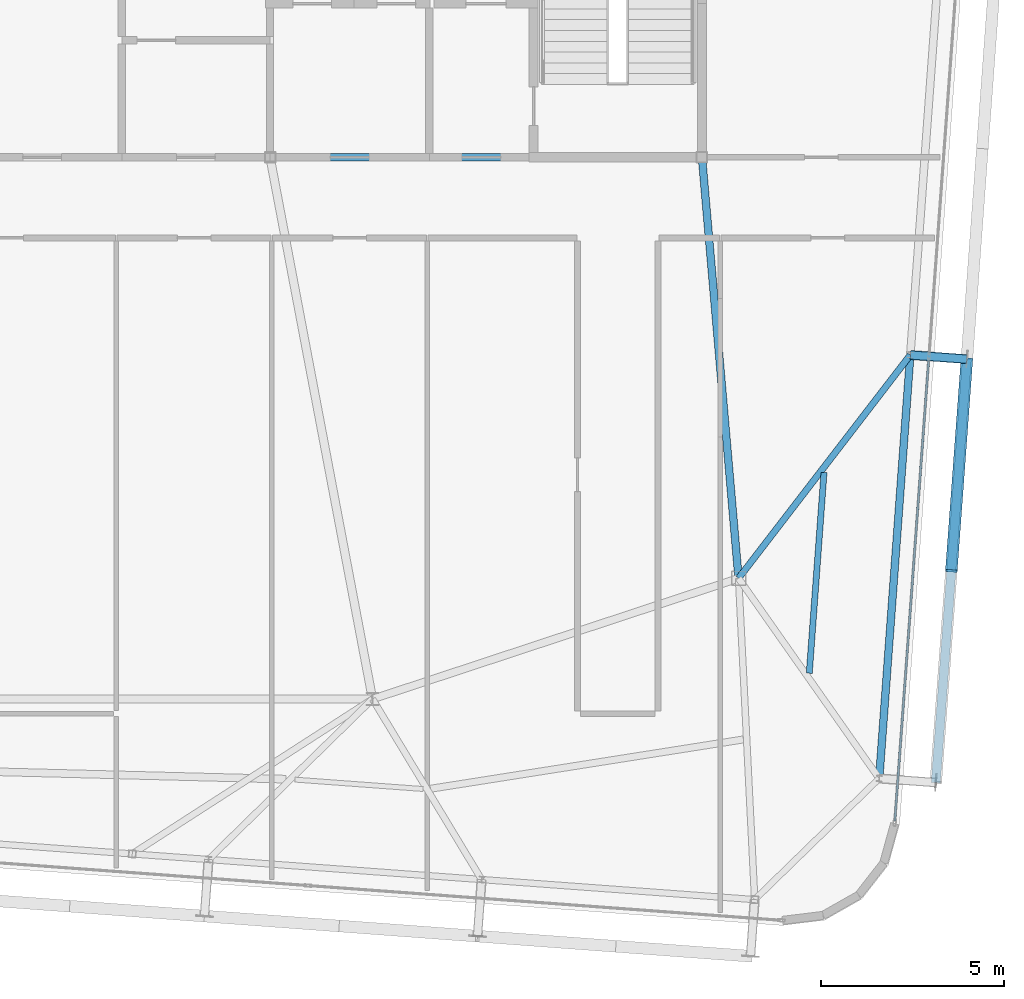
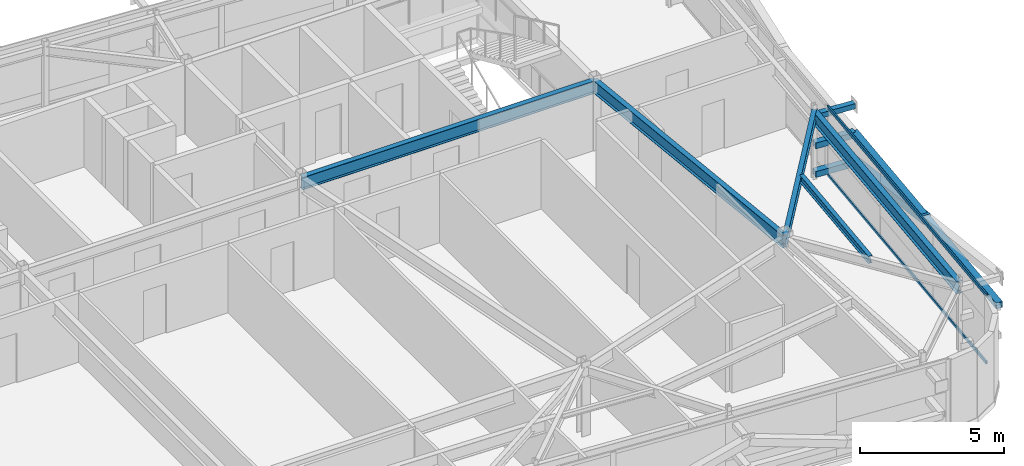
# One storey, part 16 of 34: 7 members, 5 beams, 1 element without a shape of its own.
"""IFC4 building model written with IfcOpenShell, lengths in metres."""

import ifcopenshell
import ifcopenshell.guid

model = None  # the IFC model being written
_history = None  # IfcOwnerHistory: only IFC2X3 demands one
_inside = {}  # id of a spatial element -> (the spatial element, [elements in it])
_under = {}  # id of a project, library or spatial element -> (it, [spatial elements below it])
_declared = {}  # id of a project -> (the project, [libraries it declares])
_typed = {}  # id of a type object -> (the type object, [elements of that type])
_made_of = {}  # id of a material, layer set ... -> (it, [elements and type objects made of it])


def new_model(schema):
    """Start an empty IFC model of exactly this schema.

    Asked for "IFC4X3", IfcOpenShell would pick the latest addendum, in which some entities
    have other attributes; the version numbers below select the first issue.
    IFC2X3 requires an IfcOwnerHistory on every rooted entity: one is made here for all.
    """
    global model, _history
    if schema == "IFC4X3":
        model = ifcopenshell.file(schema_version=(4, 3, 0, 0))
    else:
        model = ifcopenshell.file(schema=schema)
    _inside.clear()
    _under.clear()
    _declared.clear()
    _typed.clear()
    _made_of.clear()
    _history = None
    if model.schema == "IFC2X3":
        org = make("IfcOrganization", Name="unknown")
        user = make(
            "IfcPersonAndOrganization",
            ThePerson=make("IfcPerson", FamilyName="unknown"),
            TheOrganization=org,
        )
        app = make(
            "IfcApplication",
            ApplicationDeveloper=org,
            Version="unknown",
            ApplicationFullName="unknown",
            ApplicationIdentifier="unknown",
        )
        _history = make(
            "IfcOwnerHistory",
            OwningUser=user,
            OwningApplication=app,
            ChangeAction="ADDED",
            CreationDate=0,
        )
    return model


def make(cls, **values):
    """One entity of the class cls with the attributes given. An attribute that is None is left unset."""
    return model.create_entity(
        cls, **{name: value for name, value in values.items() if value is not None}
    )


def rooted(cls, **values):
    """An entity with a GlobalId (a new one), such as an element, a storey or a relation."""
    return make(cls, GlobalId=ifcopenshell.guid.new(), OwnerHistory=_history, **values)


def si_unit(unit_type, name, prefix=None):
    """IfcSIUnit, for example si_unit("LENGTHUNIT", "METRE", prefix="MILLI")."""
    return make("IfcSIUnit", UnitType=unit_type, Prefix=prefix, Name=name)


def assignment(units):
    """IfcUnitAssignment: the units of a project."""
    return None if units is None else make("IfcUnitAssignment", Units=units)


def point(xyz):
    """IfcCartesianPoint."""
    return None if xyz is None else make("IfcCartesianPoint", Coordinates=xyz)


def direction(xyz):
    """IfcDirection."""
    return None if xyz is None else make("IfcDirection", DirectionRatios=xyz)


def frame(location, z_axis=None, x_axis=None):
    """IfcAxis2Placement3D, a coordinate frame: its origin and axes. An axis left out is left unset."""
    return make(
        "IfcAxis2Placement3D",
        Location=point(location),
        Axis=direction(z_axis),
        RefDirection=direction(x_axis),
    )


def frame_2d(location, x_axis=None):
    """IfcAxis2Placement2D, a coordinate frame in the plane: its origin and x axis."""
    return make(
        "IfcAxis2Placement2D", Location=point(location), RefDirection=direction(x_axis)
    )


def origin():
    """The frame at (0, 0, 0) with its axes left unset."""
    return frame((0.0, 0.0, 0.0))


def origin_2d():
    """The frame at (0, 0) in the plane with its x axis left unset."""
    return frame_2d((0.0, 0.0))


def place(relative_to, where):
    """IfcLocalPlacement: puts the frame where relative to a parent placement (None: the world)."""
    return make(
        "IfcLocalPlacement", PlacementRelTo=relative_to, RelativePlacement=where
    )


def context(
    kind, dimensions, precision=None, world=None, true_north=None, identifier=None
):
    """IfcGeometricRepresentationContext, for example the 3D "Model" context."""
    return make(
        "IfcGeometricRepresentationContext",
        ContextIdentifier=identifier,
        ContextType=kind,
        CoordinateSpaceDimension=dimensions,
        Precision=precision,
        WorldCoordinateSystem=world,
        TrueNorth=true_north,
    )


def subcontext(parent, identifier, kind, view, scale=None):
    """IfcGeometricRepresentationSubContext, for example "Body" below "Model"."""
    return make(
        "IfcGeometricRepresentationSubContext",
        ContextIdentifier=identifier,
        ContextType=kind,
        ParentContext=parent,
        TargetScale=scale,
        TargetView=view,
    )


def project(units=None, contexts=None):
    """IfcProject with its units and contexts."""
    return rooted(
        "IfcProject",
        Name="project",
        RepresentationContexts=contexts,
        UnitsInContext=assignment(units),
    )


def spatial(cls, under=None, at=None, **own):
    """A site, building, storey or space (cls), placed at a placement, below another one or the project."""
    s = rooted(cls, ObjectPlacement=at, **own)
    if under is not None:
        _under.setdefault(under.id(), (under, []))[1].append(s)
    return s


def profile(cls, at=None, kind="AREA", **sizes):
    """A parametric profile (cls). Its sizes go by their IFC names, for example OverallWidth=200.0."""
    return make(cls, ProfileType=kind, Position=at, **sizes)


def hollow_rectangle(**sizes):
    """IfcRectangleHollowProfileDef."""
    return profile("IfcRectangleHollowProfileDef", **sizes)


def i_section(**sizes):
    """IfcIShapeProfileDef."""
    return profile("IfcIShapeProfileDef", **sizes)


def extrude(swept, where, along, depth):
    """IfcExtrudedAreaSolid: the profile swept, set in the frame where, extruded along a direction by depth."""
    return make(
        "IfcExtrudedAreaSolid",
        SweptArea=swept,
        Position=where,
        ExtrudedDirection=direction(along),
        Depth=depth,
    )


def shape(context_of_items, identifier, shape_type, items):
    """IfcShapeRepresentation: the items that make up one representation, for example the "Body"."""
    return make(
        "IfcShapeRepresentation",
        ContextOfItems=context_of_items,
        RepresentationIdentifier=identifier,
        RepresentationType=shape_type,
        Items=items,
    )


def source(mapping_origin, context_of_items, identifier, shape_type, items):
    """IfcRepresentationMap: a shape defined once, which mapped items show again and again."""
    return make(
        "IfcRepresentationMap",
        MappingOrigin=mapping_origin,
        MappedRepresentation=shape(context_of_items, identifier, shape_type, items),
    )


def transform(
    local_origin,
    x_axis=None,
    y_axis=None,
    z_axis=None,
    scale=None,
    scale2=None,
    scale3=None,
    uniform=True,
):
    """IfcCartesianTransformationOperator3D, or its non-uniform kind. x_axis, y_axis, z_axis: its Axis1, 2, 3."""
    if uniform:
        return make(
            "IfcCartesianTransformationOperator3D",
            Axis1=direction(x_axis),
            Axis2=direction(y_axis),
            LocalOrigin=point(local_origin),
            Scale=scale,
            Axis3=direction(z_axis),
        )
    return make(
        "IfcCartesianTransformationOperator3DnonUniform",
        Axis1=direction(x_axis),
        Axis2=direction(y_axis),
        LocalOrigin=point(local_origin),
        Scale=scale,
        Axis3=direction(z_axis),
        Scale2=scale2,
        Scale3=scale3,
    )


def mapped(mapping_source, mapping_target):
    """IfcMappedItem: shows the shape of a source again, moved by a transform."""
    return make(
        "IfcMappedItem", MappingSource=mapping_source, MappingTarget=mapping_target
    )


def material(Name=None, Category=None):
    """IfcMaterial."""
    return make("IfcMaterial", Name=Name, Category=Category)


def layer(
    of_material, thickness, ventilated=None, Name=None, Category=None, Priority=None
):
    """IfcMaterialLayer: one layer of a wall or slab, of a material (None: an air gap)."""
    return make(
        "IfcMaterialLayer",
        Material=of_material,
        LayerThickness=thickness,
        IsVentilated=ventilated,
        Name=Name,
        Category=Category,
        Priority=Priority,
    )


def layer_set(layers, Name=None):
    """IfcMaterialLayerSet."""
    return make("IfcMaterialLayerSet", MaterialLayers=layers, LayerSetName=Name)


def material_profile(
    of_material, cross_section, Name=None, Category=None, Priority=None
):
    """IfcMaterialProfile: a cross section and its material."""
    return make(
        "IfcMaterialProfile",
        Name=Name,
        Material=of_material,
        Profile=cross_section,
        Priority=Priority,
        Category=Category,
    )


def profile_set(profiles, Name=None, composite=None):
    """IfcMaterialProfileSet."""
    return make(
        "IfcMaterialProfileSet",
        Name=Name,
        MaterialProfiles=profiles,
        CompositeProfile=composite,
    )


def made_of(thing, what):
    """Note that an element or type object is made of a material, layer set ...; save() writes the relation."""
    if what is not None:
        _made_of.setdefault(what.id(), (what, []))[1].append(thing)
    return thing


def type_object(cls, material=None, **own):
    """A type object (cls), such as IfcWallType, which elements share."""
    return made_of(rooted(cls, **own), material)


def element(
    cls,
    number,
    at=None,
    inside=None,
    cuts=None,
    type_object=None,
    material=None,
    context=None,
    identifier="Body",
    shape_type=None,
    held_by="IfcProductDefinitionShape",
    body=None,
    shapes=None,
    **own,
):
    """One element of the class cls, such as IfcWall. Its Tag is "e" and its number.

    at: its placement. inside: the storey or other place that contains it. cuts: it is an
    opening in that element (IfcRelVoidsElement). A single representation is given by context,
    identifier, shape_type and body (its items); several are given by shapes. held_by: the class
    of the entity that holds the representations. save() writes the other relations.
    """
    e = rooted(cls, Tag="e%d" % number, ObjectPlacement=at, **own)
    if body is not None:
        shapes = [shape(context, identifier, shape_type, body)]
    if shapes is not None:
        e.Representation = make(held_by, Representations=shapes)
    if inside is not None:
        _inside.setdefault(inside.id(), (inside, []))[1].append(e)
    if cuts is not None:
        rooted(
            "IfcRelVoidsElement", RelatingBuildingElement=cuts, RelatedOpeningElement=e
        )
    if type_object is not None:
        _typed.setdefault(type_object.id(), (type_object, []))[1].append(e)
    return made_of(e, material)


def aggregate(whole, parts):
    """IfcRelAggregates: a whole, such as a stair, and the parts it consists of."""
    return rooted("IfcRelAggregates", RelatingObject=whole, RelatedObjects=parts)


def save(model, path):
    """Write the relations noted so far, then the file.

    IfcRelAggregates (storeys below a building ...), IfcRelContainedInSpatialStructure (elements
    in a storey), IfcRelDefinesByType, IfcRelAssociatesMaterial and IfcRelDeclares: one each for
    every whole, place, type object, material and project.
    """
    for whole, parts in _under.values():
        aggregate(whole, parts)
    for where, things in _inside.values():
        rooted(
            "IfcRelContainedInSpatialStructure",
            RelatedElements=things,
            RelatingStructure=where,
        )
    for kind, things in _typed.values():
        rooted("IfcRelDefinesByType", RelatedObjects=things, RelatingType=kind)
    for what, things in _made_of.values():
        rooted("IfcRelAssociatesMaterial", RelatedObjects=things, RelatingMaterial=what)
    for by, libraries in _declared.values():
        rooted("IfcRelDeclares", RelatingContext=by, RelatedDefinitions=libraries)
    model.write(path)


model = new_model("IFC4")

# Units and contexts
model_context = context("Model", 3, precision=1e-05, world=origin(), true_north=direction((0.0, 1.0)))
body_context = subcontext(model_context, "Body", "Model", "MODEL_VIEW")
ifc_project = project(units=[si_unit("LENGTHUNIT", "METRE"), si_unit("AREAUNIT", "SQUARE_METRE"), si_unit("VOLUMEUNIT", "CUBIC_METRE"), si_unit("PLANEANGLEUNIT", "RADIAN"), si_unit("MASSUNIT", "GRAM", prefix="KILO")], contexts=[model_context])

# Site, building, storey
site_placement = place(None, origin())
site = spatial("IfcSite", under=ifc_project, at=site_placement, CompositionType="ELEMENT")
building_placement = place(site_placement, origin())
building = spatial("IfcBuilding", under=site, at=building_placement, Name="Taldren Reach Tower", CompositionType="ELEMENT")
storey_placement = place(building_placement, frame((0.0, 0.0, 239.75)))
storey = spatial("IfcBuildingStorey", under=building, at=storey_placement, Name="L73", CompositionType="ELEMENT", Elevation=239.75)

# Beams
ifc_material_1 = material(Name="Steel Gr 350 (350PLUS)", Category="steel")
ifc_material_profile_1 = material_profile(ifc_material_1, i_section(OverallWidth=0.208984375, OverallDepth=0.532958984375, WebThickness=0.01025390625, FlangeThickness=0.015625, at=origin_2d()), Name="530UB92.4")
ifc_profile_set_1 = profile_set([ifc_material_profile_1], Name="Steel Gr 350 (350PLUS)")
beam_type_1 = type_object("IfcBeamType", Name="BM-UB530A", PredefinedType="BEAM", material=ifc_profile_set_1)
shared_shape_1 = source(origin(), body_context, "Body", "SweptSolid", [
    extrude(i_section(OverallWidth=0.208984375, OverallDepth=0.532958984375, WebThickness=0.01025390625, FlangeThickness=0.015625, at=origin_2d()), origin(), (0.0, 0.0, 1.0), 11.800048828125),
])
beam_1_placement = place(storey_placement, frame((39.199951171875, 24.0, 2.66357421875), z_axis=(1.0, 0.0, 0.0), x_axis=(0.0, 1.0, 0.0)))
element("IfcBeam", 1, at=beam_1_placement, inside=storey, type_object=beam_type_1, Name="Core-spine girder L73-SP03", PredefinedType="BEAM", context=body_context, shape_type="MappedRepresentation", body=[
    mapped(shared_shape_1, transform((0.0, 0.0, 0.0), scale=1.0)),
])
shared_shape_2 = source(origin(), body_context, "Body", "SweptSolid", [
    extrude(i_section(OverallWidth=0.208984375, OverallDepth=0.532958984375, WebThickness=0.01025390625, FlangeThickness=0.015625, at=origin_2d()), origin(), (0.0, 0.0, 1.0), 11.54345703125),
])
beam_2_placement = place(storey_placement, frame((52.0, 12.5, 2.66357421875), z_axis=(-0.086629616365, 0.996240588196, 0.0), x_axis=(-0.996240588196, -0.086629616365, 0.0)))
element("IfcBeam", 2, at=beam_2_placement, inside=storey, type_object=beam_type_1, Name="Core-spine girder L73-SP13", PredefinedType="BEAM", context=body_context, shape_type="MappedRepresentation", body=[
    mapped(shared_shape_2, transform((0.0, 0.0, 0.0), scale=1.0)),
])
ifc_material_profile_2 = material_profile(ifc_material_1, i_section(OverallWidth=0.208984375, OverallDepth=0.528076171875, WebThickness=0.009521484375, FlangeThickness=0.01318359375, at=origin_2d()), Name="530UB82.0")
ifc_profile_set_2 = profile_set([ifc_material_profile_2], Name="Steel Gr 350 (350PLUS)")
beam_type_2 = type_object("IfcBeamType", Name="SP-UB530B", PredefinedType="SPANDREL", material=ifc_profile_set_2)
shared_shape_3 = source(origin(), body_context, "Body", "SweptSolid", [
    extrude(i_section(OverallWidth=0.208984375, OverallDepth=0.528076171875, WebThickness=0.009521484375, FlangeThickness=0.01318359375, at=origin_2d()), origin(), (0.0, 0.0, 1.0), 11.60009765625),
])
beam_3_placement = place(storey_placement, frame((55.841796875, 7.031005859375, 2.666015625), z_axis=(0.073242167855, 0.997314185625, 0.0), x_axis=(-0.997314185625, 0.073242167855, 0.0)))
element("IfcBeam", 3, at=beam_3_placement, inside=storey, type_object=beam_type_2, Name="Perimeter spandrel B5 E1-E2 L73", PredefinedType="SPANDREL", context=body_context, shape_type="MappedRepresentation", body=[
    mapped(shared_shape_3, transform((0.0, 0.0, 0.0), scale=1.0)),
])
ifc_material_profile_3 = material_profile(ifc_material_1, i_section(OverallWidth=0.177978515625, OverallDepth=0.406005859375, WebThickness=0.0078125, FlangeThickness=0.0126953125, at=origin_2d()), Name="410UB59.7")
ifc_profile_set_3 = profile_set([ifc_material_profile_3], Name="Steel Gr 350 (350PLUS)")
beam_type_3 = type_object("IfcBeamType", Name="BM-UB410", PredefinedType="BEAM", material=ifc_profile_set_3)
shared_shape_4 = source(origin(), body_context, "Body", "SweptSolid", [
    extrude(i_section(OverallWidth=0.177978515625, OverallDepth=0.406005859375, WebThickness=0.0078125, FlangeThickness=0.0126953125, at=origin_2d()), origin(), (0.0, 0.0, 1.0), 7.6953125),
])
beam_4_placement = place(storey_placement, frame((52.0, 12.5, 2.72705078125), z_axis=(0.609646363361, 0.792673521471, 0.0), x_axis=(-0.792673521471, 0.609646363361, 0.0)))
element("IfcBeam", 4, at=beam_4_placement, inside=storey, type_object=beam_type_3, Name="Primary floor girder B5-E2 L73", PredefinedType="BEAM", context=body_context, shape_type="MappedRepresentation", body=[
    mapped(shared_shape_4, transform((0.0, 0.0, 0.0), scale=1.0)),
])
ifc_material_2 = material(Name="Steel Gr 300 (300PLUS, 300 MPa)", Category="steel")
ifc_material_profile_4 = material_profile(ifc_material_2, i_section(OverallWidth=0.166015625, OverallDepth=0.306884765625, WebThickness=0.006591796875, FlangeThickness=0.01171875, at=origin_2d()), Name="310UB46.2")
ifc_profile_set_4 = profile_set([ifc_material_profile_4], Name="Steel Gr 300 (300PLUS, 300 MPa)")
beam_type_4 = type_object("IfcBeamType", Name="JS-UB310", PredefinedType="JOIST", material=ifc_profile_set_4)
shared_shape_5 = source(origin(), body_context, "Body", "SweptSolid", [
    extrude(i_section(OverallWidth=0.166015625, OverallDepth=0.306884765625, WebThickness=0.006591796875, FlangeThickness=0.01171875, at=origin_2d()), origin(), (0.0, 0.0, 1.0), 5.49755859375),
])
beam_5_placement = place(storey_placement, frame((53.93115234375, 9.905517578125, 2.776611328125), z_axis=(0.073228814191, 0.99731516622, 0.0), x_axis=(-0.99731516622, 0.073228814191, 0.0)))
element("IfcBeam", 5, at=beam_5_placement, inside=storey, type_object=beam_type_4, Name="Secondary floor joist B5 J7 L73", PredefinedType="JOIST", context=body_context, shape_type="MappedRepresentation", body=[
    mapped(shared_shape_5, transform((0.0, 0.0, 0.0), scale=1.0)),
])

# Members
ifc_material_3 = material(Name="Steel Gr 450 (C450L0)", Category="steel")
ifc_material_profile_5 = material_profile(ifc_material_3, hollow_rectangle(XDim=0.219970703125, YDim=0.219970703125, WallThickness=0.00830078125, at=origin_2d()), Name="220x220x8.2SHS")
ifc_profile_set_5 = profile_set([ifc_material_profile_5], Name="Steel Gr 450 (C450L0)")
member_type_1 = type_object("IfcMemberType", Name="MB-TIE219", PredefinedType="STRUT", material=ifc_profile_set_5)
shared_shape_6 = source(origin(), body_context, "Body", "SweptSolid", [
    extrude(hollow_rectangle(XDim=0.219970703125, YDim=0.219970703125, WallThickness=0.00830078125, at=origin_2d()), origin(), (0.0, 0.0, 1.0), 1.5458984375),
])
member_1_placement = place(storey_placement, frame((56.6953125, 18.599365234375, 2.64990234375), z_axis=(0.99732305975, -0.073121231459, 0.0), x_axis=(0.073121231459, 0.99732305975, 0.0)))
element("IfcMember", 6, at=member_1_placement, inside=storey, type_object=member_type_1, Name="Exoskeleton diaphragm tie strut B5-E2 L73", PredefinedType="STRUT", context=body_context, shape_type="MappedRepresentation", body=[
    mapped(shared_shape_6, transform((0.0, 0.0, 0.0), scale=1.0)),
])
ifc_material_profile_6 = material_profile(ifc_material_3, hollow_rectangle(XDim=0.324951171875, YDim=0.324951171875, WallThickness=0.0126953125, at=origin_2d()), Name="325x325x12.7SHS")
ifc_profile_set_6 = profile_set([ifc_material_profile_6], Name="Steel Gr 450 (C450L0)")
member_type_2 = type_object("IfcMemberType", Name="MB-BR324", PredefinedType="BRACE", material=ifc_profile_set_6)
shared_shape_7 = source(origin(), body_context, "Body", "SweptSolid", [
    extrude(hollow_rectangle(XDim=0.324951171875, YDim=0.324951171875, WallThickness=0.0126953125, at=origin_2d()), origin(), (0.0, 0.0, 1.0), 5.926025390625),
])
member_2_placement = place(storey_placement, frame((58.237060546875, 18.486328125, 0.219970703125), z_axis=(-0.071685935393, -0.976123486939, 0.205046494513), x_axis=(0.997314185625, -0.073242167855, 0.0)))
element("IfcMember", 7, at=member_2_placement, inside=storey, type_object=member_type_2, Name="Exoskeleton Diagrid Brace B5-E1 L73", PredefinedType="BRACE", context=body_context, shape_type="MappedRepresentation", body=[
    mapped(shared_shape_7, transform((0.0, 0.0, 0.0), scale=1.0)),
])
ifc_material_4 = material(Name="Steel Gr 350 (C350L0)", Category="steel")
ifc_material_profile_7 = material_profile(ifc_material_4, hollow_rectangle(XDim=0.25, YDim=0.25, WallThickness=0.010009765625, at=origin_2d()), Name="250x250x10.0SHS")
ifc_profile_set_7 = profile_set([ifc_material_profile_7], Name="Steel Gr 350 (C350L0)")
member_type_3 = type_object("IfcMemberType", Name="MB-POST250", PredefinedType="POST", material=ifc_profile_set_7)
shared_shape_8 = source(origin(), body_context, "Body", "SweptSolid", [
    extrude(hollow_rectangle(XDim=0.25, YDim=0.25, WallThickness=0.010009765625, at=origin_2d()), origin(), (0.0, 0.0, 1.0), 11.60009765625),
])
member_3_placement = place(storey_placement, frame((57.3876953125, 6.91748046875, 1.43505859375), z_axis=(0.073221234109, 0.997315722766, 0.0), x_axis=(-0.997315722766, 0.073221234109, 0.0)))
element("IfcMember", 8, at=member_3_placement, inside=storey, type_object=member_type_3, Name="Exoskeleton mid-height ring chord B5-E1 L73", PredefinedType="POST", context=body_context, shape_type="MappedRepresentation", body=[
    mapped(shared_shape_8, transform((0.0, 0.0, 0.0), scale=1.0)),
])
shared_shape_9 = source(origin(), body_context, "Body", "SweptSolid", [
    extrude(hollow_rectangle(XDim=0.25, YDim=0.25, WallThickness=0.010009765625, at=origin_2d()), origin(), (0.0, 0.0, 1.0), 1.5458984375),
])
for number, where, z_axis, x_axis, name in (
    (9, (56.6953125, 18.599365234375, 0.219970703125), (0.99732305975, -0.073121231459, 0.0), (0.073121231459, 0.99732305975, 0.0), "Exoskeleton base diaphragm tie strut B5-E2 L73"),
    (10, (56.6953125, 18.599365234375, 1.43505859375), (0.99732305975, -0.073121231459, 0.0), (0.073121231459, 0.99732305975, 0.0), "Exoskeleton mid-tier diaphragm tie B5-E2 L73"),
):
    element("IfcMember", number, at=place(storey_placement, frame(where, z_axis=z_axis, x_axis=x_axis)), inside=storey, type_object=member_type_3, Name=name, PredefinedType="POST", context=body_context, shape_type="MappedRepresentation", body=[
        mapped(shared_shape_9, transform((0.0, 0.0, 0.0), scale=1.0)),
    ])

# Curtain wall, members
ifc_material_5 = material(Name="Aluminium and Low-E Glass Unitised System", Category="aluminium")
ifc_layer = layer(ifc_material_5, 0.159912109375)
ifc_layer_set = layer_set([ifc_layer], Name="Aluminium and Low-E Glass Unitised System")
curtain_wall_type = type_object("IfcCurtainWallType", Name="CW-SYS-6", PredefinedType="NOTDEFINED", material=ifc_layer_set)
curtain_wall_placement = place(storey_placement, origin())
curtain_wall = element("IfcCurtainWall", 11, at=curtain_wall_placement, inside=storey, type_object=curtain_wall_type, Name="Unitised curtain wall CW-L73-E", PredefinedType="NOTDEFINED")
ifc_material_6 = material(Name="Anodised Aluminium 6063-T6", Category="aluminium")
ifc_material_profile_8 = material_profile(ifc_material_6, hollow_rectangle(XDim=0.06005859375, YDim=0.135009765625, WallThickness=0.00341796875, at=origin_2d()), Name="ALU-135x60x3.5RHS")
ifc_profile_set_8 = profile_set([ifc_material_profile_8], Name="Anodised Aluminium 6063-T6")
member_type_4 = type_object("IfcMemberType", Name="CW-TRN-150", PredefinedType="USERDEFINED", material=ifc_profile_set_8)
shared_shape_10 = source(origin(), body_context, "Body", "SweptSolid", [
    extrude(hollow_rectangle(XDim=0.06005859375, YDim=0.135009765625, WallThickness=0.00341796875, at=origin_2d()), origin(), (0.0, 0.0, 1.0), 12.6875),
])
member_4_placement = place(storey_placement, frame((56.26806640625, 5.87158203125, 0.030029296875), z_axis=(0.073237997916, 0.997314491854, 0.0), x_axis=(-0.997314491854, 0.073237997916, 0.0)))
member_4 = element("IfcMember", 12, at=member_4_placement, type_object=member_type_4, Name="CW-6 transom 1.1", ObjectType="TRANSOM", PredefinedType="USERDEFINED", context=body_context, shape_type="MappedRepresentation", body=[
    mapped(shared_shape_10, transform((0.0, 0.0, 0.0), scale=1.0)),
])
member_5_placement = place(storey_placement, frame((56.26806640625, 5.87158203125, 2.89990234375), z_axis=(0.073237997916, 0.997314491854, 0.0), x_axis=(-0.997314491854, 0.073237997916, 0.0)))
member_5 = element("IfcMember", 13, at=member_5_placement, type_object=member_type_4, Name="CW-6 transom 1.2", ObjectType="TRANSOM", PredefinedType="USERDEFINED", context=body_context, shape_type="MappedRepresentation", body=[
    mapped(shared_shape_10, transform((0.0, 0.0, 0.0), scale=1.0)),
])
aggregate(curtain_wall, [member_4, member_5])

save(model, "model.ifc")
